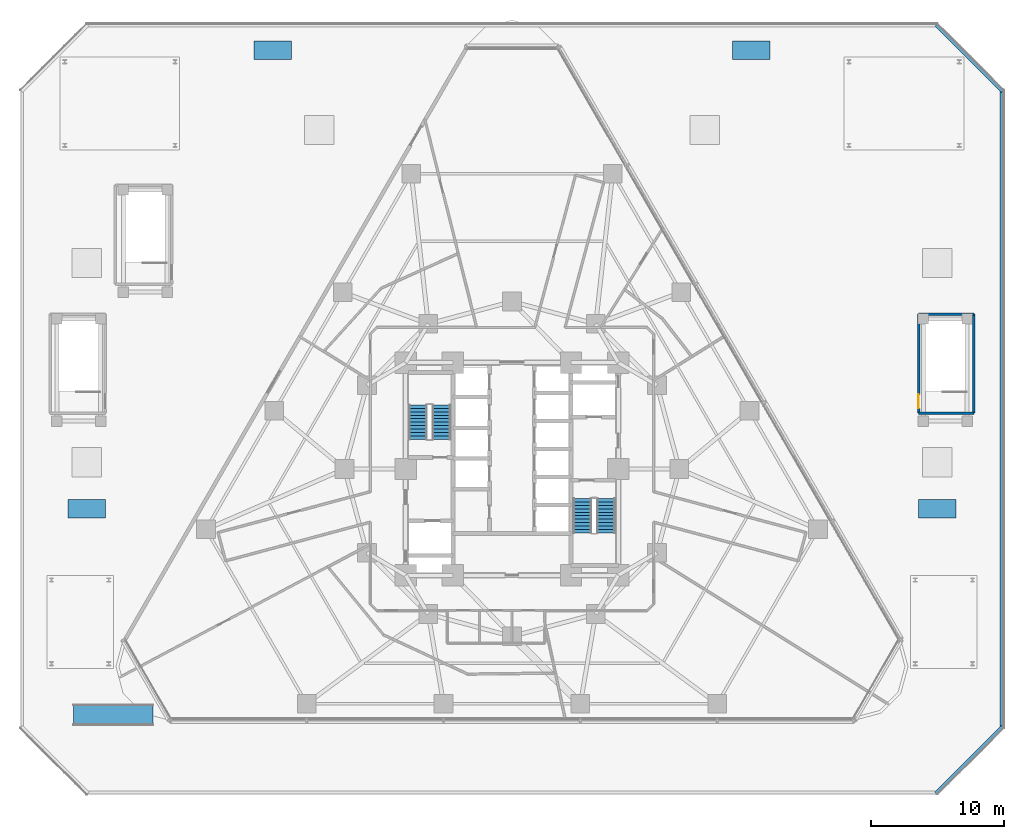
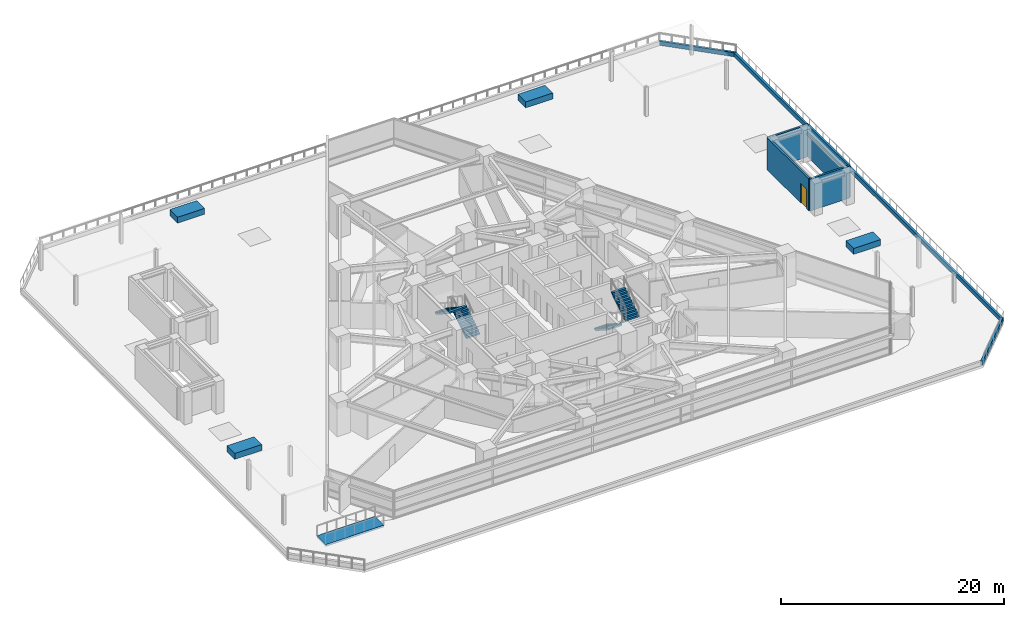
# One storey, part 19 of 23: 7 walls, 4 discrete accessories, 4 stair flights, 1 door, 1 ramp flight, 1 opening, 3 elements without a shape of their own.
"""IFC4 building model written with IfcOpenShell, lengths in metres."""

from ifc_helpers import new_model, si_unit, direction, frame, frame_2d, origin, origin_2d, place, context, subcontext, project, spatial, polyline, rectangle, outline, extrude, material, layer, layer_set, type_object, element, fill, aggregate, save


model = new_model("IFC4")

# Units and contexts
model_context = context("Model", 3, precision=1e-05, world=origin(), true_north=direction((0.0, 1.0)))
body_context = subcontext(model_context, "Body", "Model", "MODEL_VIEW")
ifc_project = project(units=[si_unit("LENGTHUNIT", "METRE"), si_unit("AREAUNIT", "SQUARE_METRE"), si_unit("VOLUMEUNIT", "CUBIC_METRE"), si_unit("PLANEANGLEUNIT", "RADIAN"), si_unit("MASSUNIT", "GRAM", prefix="KILO")], contexts=[model_context])

# Site, building, storey
site_placement = place(None, origin())
site = spatial("IfcSite", under=ifc_project, at=site_placement, CompositionType="ELEMENT")
building_placement = place(site_placement, origin())
building = spatial("IfcBuilding", under=site, at=building_placement, Name="Terralouvre Media Tower", CompositionType="ELEMENT")
storey_placement = place(building_placement, frame((0.0, 0.0, 26.0)))
storey = spatial("IfcBuildingStorey", under=building, at=storey_placement, Name="L05", CompositionType="ELEMENT", Elevation=26.0)

# Walls
ifc_material_1 = material(Name="Fire-rated gypsum board drywall partition")
ifc_layer_1 = layer(ifc_material_1, 0.199951171875, Name="Fire-Rated Shaft and Lobby Partition FW-200")
ifc_layer_set_1 = layer_set([ifc_layer_1], Name="Fire-rated gypsum board drywall partition")
wall_type_1 = type_object("IfcWallType", Name="Fire-Rated Shaft and Lobby Partition FW-200", PredefinedType="SOLIDWALL", material=ifc_layer_set_1)
wall_1_placement = place(storey_placement, frame((30.60009765625, 4.199951171875, 0.0), z_axis=(0.0, 0.0, 1.0), x_axis=(1.0, 0.0, 0.0)))
element("IfcWall", 1, at=wall_1_placement, inside=storey, type_object=wall_type_1, Name="L05 ST04 Stair Shaft Wall S", PredefinedType="SOLIDWALL", context=body_context, shape_type="SweptSolid", body=[
    extrude(rectangle(XDim=4.14990234375, YDim=0.199951171875, at=frame_2d((2.074951171875, 0.0))), origin(), (0.0, 0.0, 1.0), 3.5),
])
wall_2_placement = place(storey_placement, frame((34.75, 4.199951171875, 0.0), z_axis=(0.0, 0.0, 1.0), x_axis=(0.0, 1.0, 0.0)))
element("IfcWall", 2, at=wall_2_placement, inside=storey, type_object=wall_type_1, Name="L05 ST04 Stair Shaft Wall E", PredefinedType="SOLIDWALL", context=body_context, shape_type="SweptSolid", body=[
    extrude(rectangle(XDim=7.449951171875, YDim=0.199951171875, at=frame_2d((3.72509765625, 0.0))), origin(), (0.0, 0.0, 1.0), 3.5),
])
wall_3_placement = place(storey_placement, frame((34.75, 11.64990234375, 0.0), z_axis=(0.0, 0.0, 1.0), x_axis=(-1.0, 0.0, 0.0)))
element("IfcWall", 3, at=wall_3_placement, inside=storey, type_object=wall_type_1, Name="L05 ST04 Stair Shaft Wall N", PredefinedType="SOLIDWALL", context=body_context, shape_type="SweptSolid", body=[
    extrude(rectangle(XDim=4.14990234375, YDim=0.199951171875, at=frame_2d((2.074951171875, 0.0))), origin(), (0.0, 0.0, 1.0), 3.5),
])

# Wall, opening, door
wall_4_placement = place(storey_placement, frame((30.60009765625, 11.64990234375, 0.0), z_axis=(0.0, 0.0, 1.0), x_axis=(0.0, -1.0, 0.0)))
wall_4 = element("IfcWall", 4, at=wall_4_placement, inside=storey, type_object=wall_type_1, Name="L05 ST04 Stair Shaft Wall W", PredefinedType="SOLIDWALL", context=body_context, shape_type="SweptSolid", body=[
    extrude(rectangle(XDim=7.449951171875, YDim=0.199951171875, at=frame_2d((3.72509765625, 0.0))), origin(), (0.0, 0.0, 1.0), 3.5),
])
opening_placement = place(wall_4_placement, frame((6.0400390625, 0.0, 0.0)))
opening = element("IfcOpeningElement", 5, at=opening_placement, cuts=wall_4, Name="Opening FD-01-105X215", PredefinedType="OPENING", context=body_context, shape_type="SweptSolid", body=[
    extrude(rectangle(XDim=1.050048828125, YDim=2.14990234375, at=frame_2d((0.52490234375, 1.074951171875))), frame((0.0, 0.10986328125, 0.0), z_axis=(0.0, -1.0, 0.0), x_axis=(1.0, 0.0, 0.0)), (0.0, 0.0, 1.0), 0.219970703125),
])
ifc_material_2 = material(Name="Galvanised steel fire-resisting leaf", Category="steel")
door_type = type_object("IfcDoorType", Name="Stair and Firefighting Lobby Fire Door FD-01 (1050x2150)", OperationType="NOTDEFINED", PredefinedType="DOOR", material=ifc_material_2)
door_placement = place(opening_placement, origin())
door = element("IfcDoor", 6, at=door_placement, inside=storey, type_object=door_type, Name="L05 ST04 Pressurised Stair Door", OperationType="SINGLE_SWING_LEFT", OverallHeight=2.14990234375, OverallWidth=1.050048828125, PredefinedType="DOOR", context=body_context, shape_type="SweptSolid", body=[
    extrude(rectangle(XDim=1.050048828125, YDim=2.14990234375, at=frame_2d((0.52490234375, 1.074951171875))), frame((0.0, 0.02490234375, 0.0), z_axis=(0.0, -1.0, 0.0), x_axis=(1.0, 0.0, 0.0)), (0.0, 0.0, 1.0), 0.050048828125),
])
fill(opening, door)

# Walls
ifc_material_3 = material(Name="Kiln-fired architectural terracotta rainscreen cladding", Category="masonry")
ifc_layer_2 = layer(ifc_material_3, 0.219970703125, Name="Terracotta Parapet Upstand Wall PW-220")
ifc_layer_set_2 = layer_set([ifc_layer_2], Name="Kiln-fired architectural terracotta rainscreen cladding")
wall_type_2 = type_object("IfcWallType", Name="Terracotta Parapet Upstand Wall PW-220", PredefinedType="PARAPET", material=ifc_layer_set_2)
wall_5_placement = place(storey_placement, frame((31.89404296875, -24.39404296875, 0.0), z_axis=(0.0, 0.0, 1.0), x_axis=(0.707106781187, 0.707106781187, 0.0)))
element("IfcWall", 7, at=wall_5_placement, inside=storey, type_object=wall_type_2, Name="L05 Raised Garden Parapet 02", PredefinedType="PARAPET", context=body_context, shape_type="SweptSolid", body=[
    extrude(rectangle(XDim=7.071044921875, YDim=0.219970703125, at=frame_2d((3.53564453125, 0.0))), origin(), (0.0, 0.0, 1.0), 0.449951171875),
])
wall_6_placement = place(storey_placement, frame((36.85009765625, -19.5, 0.0), z_axis=(0.0, 0.0, 1.0), x_axis=(0.0, 1.0, 0.0)))
element("IfcWall", 8, at=wall_6_placement, inside=storey, type_object=wall_type_2, Name="L05 Raised Garden Parapet 03", PredefinedType="PARAPET", context=body_context, shape_type="SweptSolid", body=[
    extrude(rectangle(XDim=48.0, YDim=0.219970703125, at=frame_2d((24.0, 0.0))), origin(), (0.0, 0.0, 1.0), 0.449951171875),
])
wall_7_placement = place(storey_placement, frame((36.89404296875, 28.39404296875, 0.0), z_axis=(0.0, 0.0, 1.0), x_axis=(-0.707106781187, 0.707106781187, 0.0)))
element("IfcWall", 9, at=wall_7_placement, inside=storey, type_object=wall_type_2, Name="L05 Raised Garden Parapet 04", PredefinedType="PARAPET", context=body_context, shape_type="SweptSolid", body=[
    extrude(rectangle(XDim=7.071044921875, YDim=0.219970703125, at=frame_2d((3.53564453125, 0.0))), origin(), (0.0, 0.0, 1.0), 0.449951171875),
])

# Stair, stair flights
ifc_material_4 = material(Name="Concrete C45/55", Category="concrete")
stair_type_1 = type_object("IfcStairType", Name="Dogleg Stair Assembly ST-01", PredefinedType="HALF_TURN_STAIR", material=ifc_material_4)
stair_1_placement = place(storey_placement, origin())
stair_1 = element("IfcStair", 10, at=stair_1_placement, inside=storey, type_object=stair_type_1, Name="L05 Core Pressurised Exit Stair ST-01", PredefinedType="HALF_TURN_STAIR")
ifc_material_5 = material(Name="Concrete C45/55", Category="concrete")
stair_flight_type = type_object("IfcStairFlightType", Name="Reinforced Concrete Stair Flight SF-RC1", PredefinedType="STRAIGHT", material=ifc_material_5)
stair_flight_1_placement = place(storey_placement, frame((-5.300048828125, 2.219970703125, 0.0), z_axis=(0.0, 0.0, 1.0), x_axis=(0.0, 1.0, 0.0)))
stair_flight_1 = element("IfcStairFlight", 11, at=stair_flight_1_placement, type_object=stair_flight_type, Name="ST-01 flight 1", NumberOfRisers=11, NumberOfTreads=10, PredefinedType="STRAIGHT", RiserHeight=0.168181818, TreadLength=0.26, context=body_context, shape_type="SweptSolid", body=[
    extrude(outline(polyline([(0.0, 0.0), (0.0, 0.168212890625), (0.260009765625, 0.168212890625), (0.260009765625, 0.33642578125), (0.52001953125, 0.33642578125), (0.52001953125, 0.504638671875), (0.780029296875, 0.504638671875), (0.780029296875, 0.672607421875), (1.0400390625, 0.672607421875), (1.0400390625, 0.8408203125), (1.300048828125, 0.8408203125), (1.300048828125, 1.009033203125), (1.56005859375, 1.009033203125), (1.56005859375, 1.17724609375), (1.820068359375, 1.17724609375), (1.820068359375, 1.345458984375), (2.080078125, 1.345458984375), (2.080078125, 1.513671875), (2.340087890625, 1.513671875), (2.340087890625, 1.681884765625), (2.60009765625, 1.681884765625), (2.60009765625, 1.85009765625), (2.60009765625, 1.503173828125), (0.27587890625, 0.0), (0.0, 0.0)])), frame((0.0, 0.699951171875, 0.0), z_axis=(0.0, -1.0, 0.0), x_axis=(1.0, 0.0, 0.0)), (0.0, 0.0, 1.0), 1.39990234375),
])
stair_flight_2_placement = place(storey_placement, frame((-7.080078125, 4.820068359375, 1.85009765625), z_axis=(0.0, 0.0, 1.0), x_axis=(0.0, -1.0, 0.0)))
stair_flight_2 = element("IfcStairFlight", 12, at=stair_flight_2_placement, type_object=stair_flight_type, Name="ST-01 flight 2", NumberOfRisers=11, NumberOfTreads=10, PredefinedType="STRAIGHT", RiserHeight=0.168181818, TreadLength=0.26, context=body_context, shape_type="SweptSolid", body=[
    extrude(outline(polyline([(0.0, 0.0), (0.0, 0.168212890625), (0.260009765625, 0.168212890625), (0.260009765625, 0.33642578125), (0.52001953125, 0.33642578125), (0.52001953125, 0.504638671875), (0.780029296875, 0.504638671875), (0.780029296875, 0.672607421875), (1.0400390625, 0.672607421875), (1.0400390625, 0.8408203125), (1.300048828125, 0.8408203125), (1.300048828125, 1.009033203125), (1.56005859375, 1.009033203125), (1.56005859375, 1.17724609375), (1.820068359375, 1.17724609375), (1.820068359375, 1.345458984375), (2.080078125, 1.345458984375), (2.080078125, 1.513671875), (2.340087890625, 1.513671875), (2.340087890625, 1.681884765625), (2.60009765625, 1.681884765625), (2.60009765625, 1.85009765625), (2.60009765625, 1.503173828125), (0.27587890625, 0.0), (0.0, 0.0)])), frame((0.0, 0.699951171875, 0.0), z_axis=(0.0, -1.0, 0.0), x_axis=(1.0, 0.0, 0.0)), (0.0, 0.0, 1.0), 1.39990234375),
])
aggregate(stair_1, [stair_flight_1, stair_flight_2])

ifc_material_6 = material(Name="Concrete C45/55", Category="concrete")
stair_type_2 = type_object("IfcStairType", Name="Dogleg Stair Assembly ST-02", PredefinedType="HALF_TURN_STAIR", material=ifc_material_6)
stair_2_placement = place(storey_placement, origin())
stair_2 = element("IfcStair", 13, at=stair_2_placement, inside=storey, type_object=stair_type_2, Name="L05 Core Pressurised Exit Stair ST-02", PredefinedType="HALF_TURN_STAIR")
stair_flight_3_placement = place(storey_placement, frame((5.300048828125, -2.219970703125, 0.0), z_axis=(0.0, 0.0, 1.0), x_axis=(0.0, -1.0, 0.0)))
stair_flight_3 = element("IfcStairFlight", 14, at=stair_flight_3_placement, type_object=stair_flight_type, Name="ST-02 flight 1", NumberOfRisers=11, NumberOfTreads=10, PredefinedType="STRAIGHT", RiserHeight=0.168181818, TreadLength=0.26, context=body_context, shape_type="SweptSolid", body=[
    extrude(outline(polyline([(0.0, 0.0), (0.0, 0.168212890625), (0.260009765625, 0.168212890625), (0.260009765625, 0.33642578125), (0.52001953125, 0.33642578125), (0.52001953125, 0.504638671875), (0.780029296875, 0.504638671875), (0.780029296875, 0.672607421875), (1.0400390625, 0.672607421875), (1.0400390625, 0.8408203125), (1.300048828125, 0.8408203125), (1.300048828125, 1.009033203125), (1.56005859375, 1.009033203125), (1.56005859375, 1.17724609375), (1.820068359375, 1.17724609375), (1.820068359375, 1.345458984375), (2.080078125, 1.345458984375), (2.080078125, 1.513671875), (2.340087890625, 1.513671875), (2.340087890625, 1.681884765625), (2.60009765625, 1.681884765625), (2.60009765625, 1.85009765625), (2.60009765625, 1.503173828125), (0.27587890625, 0.0), (0.0, 0.0)])), frame((0.0, 0.699951171875, 0.0), z_axis=(0.0, -1.0, 0.0), x_axis=(1.0, 0.0, 0.0)), (0.0, 0.0, 1.0), 1.39990234375),
])
stair_flight_4_placement = place(storey_placement, frame((7.080078125, -4.820068359375, 1.85009765625), z_axis=(0.0, 0.0, 1.0), x_axis=(0.0, 1.0, 0.0)))
stair_flight_4 = element("IfcStairFlight", 15, at=stair_flight_4_placement, type_object=stair_flight_type, Name="ST-02 flight 2", NumberOfRisers=11, NumberOfTreads=10, PredefinedType="STRAIGHT", RiserHeight=0.168181818, TreadLength=0.26, context=body_context, shape_type="SweptSolid", body=[
    extrude(outline(polyline([(0.0, 0.0), (0.0, 0.168212890625), (0.260009765625, 0.168212890625), (0.260009765625, 0.33642578125), (0.52001953125, 0.33642578125), (0.52001953125, 0.504638671875), (0.780029296875, 0.504638671875), (0.780029296875, 0.672607421875), (1.0400390625, 0.672607421875), (1.0400390625, 0.8408203125), (1.300048828125, 0.8408203125), (1.300048828125, 1.009033203125), (1.56005859375, 1.009033203125), (1.56005859375, 1.17724609375), (1.820068359375, 1.17724609375), (1.820068359375, 1.345458984375), (2.080078125, 1.345458984375), (2.080078125, 1.513671875), (2.340087890625, 1.513671875), (2.340087890625, 1.681884765625), (2.60009765625, 1.681884765625), (2.60009765625, 1.85009765625), (2.60009765625, 1.503173828125), (0.27587890625, 0.0), (0.0, 0.0)])), frame((0.0, 0.699951171875, 0.0), z_axis=(0.0, -1.0, 0.0), x_axis=(1.0, 0.0, 0.0)), (0.0, 0.0, 1.0), 1.39990234375),
])
aggregate(stair_2, [stair_flight_3, stair_flight_4])

# Ramp, ramp flight
ifc_material_7 = material(Name="Concrete C40/50", Category="concrete")
ramp_type = type_object("IfcRampType", Name="Accessible Pedestrian Ramp AR-01", PredefinedType="STRAIGHT_RUN_RAMP", material=ifc_material_7)
ramp_placement = place(storey_placement, origin())
ramp = element("IfcRamp", 16, at=ramp_placement, inside=storey, type_object=ramp_type, material=ifc_material_7, Name="L05 Raised Garden Accessible Walkway Ramp", PredefinedType="STRAIGHT_RUN_RAMP")
ifc_material_8 = material(Name="Concrete C40/50", Category="concrete")
ramp_flight_type = type_object("IfcRampFlightType", Name="Accessible Pedestrian Ramp Flight ARF-01", PredefinedType="STRAIGHT", material=ifc_material_8)
ramp_flight_placement = place(storey_placement, frame((-33.0, -18.5, 0.0), z_axis=(0.0, 0.0, 1.0), x_axis=(1.0, 0.0, 0.0)))
ramp_flight = element("IfcRampFlight", 17, at=ramp_flight_placement, type_object=ramp_flight_type, material=ifc_material_8, Name="L05 Raised Garden Accessible Walkway Ramp Flight", PredefinedType="STRAIGHT", context=body_context, shape_type="SweptSolid", body=[
    extrude(outline(polyline([(0.0, 0.0), (6.0, 0.02001953125), (6.0, -0.199951171875), (0.0, -0.219970703125), (0.0, 0.0)])), frame((0.0, 0.800048828125, 0.0), z_axis=(0.0, -1.0, 0.0), x_axis=(1.0, 0.0, 0.0)), (0.0, 0.0, 1.0), 1.60009765625),
])
aggregate(ramp, [ramp_flight])

# Discrete accessories
ifc_material_9 = material(Name="Kiln-fired architectural terracotta rainscreen cladding", Category="masonry")
discrete_accessory_type = type_object("IfcDiscreteAccessoryType", Name="Planted Tropical Garden Bed Planter PLT-01", PredefinedType="USERDEFINED", material=ifc_material_9)
for number, where, z_axis, x_axis, name in (
    (18, (-32.0, -3.0, -0.0048828125), (0.0, 0.0, 1.0), (1.0, 0.0, 0.0), "L05 Planted Garden Bed Planter 01"),
    (19, (32.0, -3.0, -0.0048828125), (0.0, 0.0, 1.0), (1.0, 0.0, 0.0), "L05 Planted Garden Bed Planter 02"),
    (20, (-18.0, 31.5, -0.0048828125), (0.0, 0.0, 1.0), (1.0, 0.0, 0.0), "L05 Planted Garden Bed Planter 03"),
    (21, (18.0, 31.5, -0.0048828125), (0.0, 0.0, 1.0), (1.0, 0.0, 0.0), "L05 Planted Garden Bed Planter 04"),
):
    element("IfcDiscreteAccessory", number, at=place(storey_placement, frame(where, z_axis=z_axis, x_axis=x_axis)), inside=storey, type_object=discrete_accessory_type, Name=name, ObjectType="PLANTER", PredefinedType="USERDEFINED", context=body_context, shape_type="SweptSolid", body=[
        extrude(rectangle(XDim=2.800048828125, YDim=1.39990234375, at=origin_2d()), origin(), (0.0, 0.0, 1.0), 0.64990234375),
    ])

save(model, "model.ifc")
